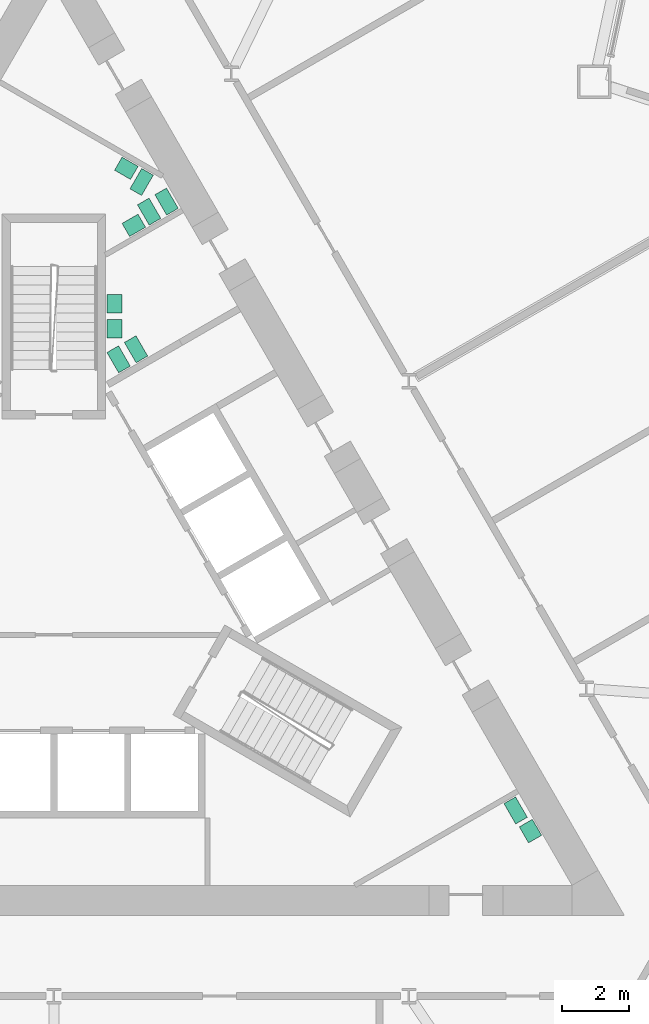
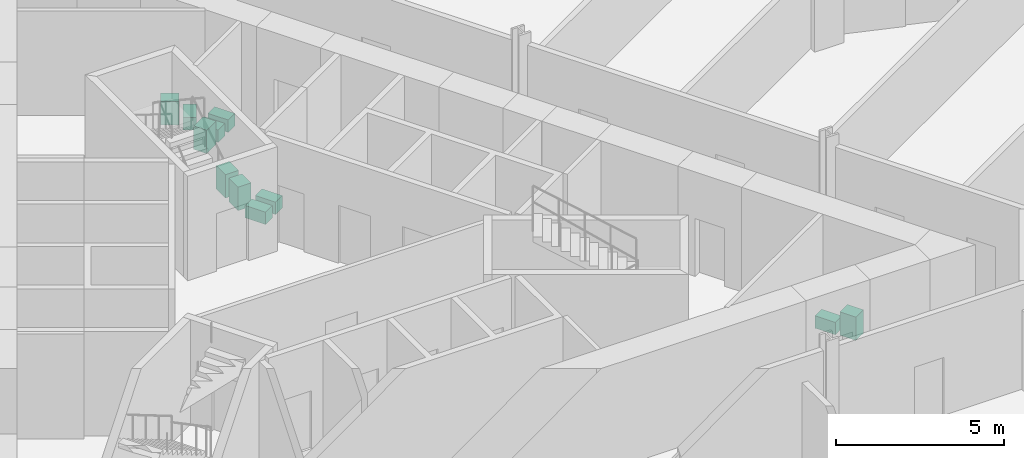
# One storey, part 20 of 21: 11 sanitary terminals.
"""IFC4 building model written with IfcOpenShell, lengths in metres."""

import ifcopenshell
import ifcopenshell.guid

model = None  # the IFC model being written
_history = None  # IfcOwnerHistory: only IFC2X3 demands one
_inside = {}  # id of a spatial element -> (the spatial element, [elements in it])
_under = {}  # id of a project, library or spatial element -> (it, [spatial elements below it])
_declared = {}  # id of a project -> (the project, [libraries it declares])
_typed = {}  # id of a type object -> (the type object, [elements of that type])
_made_of = {}  # id of a material, layer set ... -> (it, [elements and type objects made of it])


def new_model(schema):
    """Start an empty IFC model of exactly this schema.

    Asked for "IFC4X3", IfcOpenShell would pick the latest addendum, in which some entities
    have other attributes; the version numbers below select the first issue.
    IFC2X3 requires an IfcOwnerHistory on every rooted entity: one is made here for all.
    """
    global model, _history
    if schema == "IFC4X3":
        model = ifcopenshell.file(schema_version=(4, 3, 0, 0))
    else:
        model = ifcopenshell.file(schema=schema)
    _inside.clear()
    _under.clear()
    _declared.clear()
    _typed.clear()
    _made_of.clear()
    _history = None
    if model.schema == "IFC2X3":
        org = make("IfcOrganization", Name="unknown")
        user = make(
            "IfcPersonAndOrganization",
            ThePerson=make("IfcPerson", FamilyName="unknown"),
            TheOrganization=org,
        )
        app = make(
            "IfcApplication",
            ApplicationDeveloper=org,
            Version="unknown",
            ApplicationFullName="unknown",
            ApplicationIdentifier="unknown",
        )
        _history = make(
            "IfcOwnerHistory",
            OwningUser=user,
            OwningApplication=app,
            ChangeAction="ADDED",
            CreationDate=0,
        )
    return model


def make(cls, **values):
    """One entity of the class cls with the attributes given. An attribute that is None is left unset."""
    return model.create_entity(
        cls, **{name: value for name, value in values.items() if value is not None}
    )


def rooted(cls, **values):
    """An entity with a GlobalId (a new one), such as an element, a storey or a relation."""
    return make(cls, GlobalId=ifcopenshell.guid.new(), OwnerHistory=_history, **values)


def si_unit(unit_type, name, prefix=None):
    """IfcSIUnit, for example si_unit("LENGTHUNIT", "METRE", prefix="MILLI")."""
    return make("IfcSIUnit", UnitType=unit_type, Prefix=prefix, Name=name)


def assignment(units):
    """IfcUnitAssignment: the units of a project."""
    return None if units is None else make("IfcUnitAssignment", Units=units)


def point(xyz):
    """IfcCartesianPoint."""
    return None if xyz is None else make("IfcCartesianPoint", Coordinates=xyz)


def direction(xyz):
    """IfcDirection."""
    return None if xyz is None else make("IfcDirection", DirectionRatios=xyz)


def frame(location, z_axis=None, x_axis=None):
    """IfcAxis2Placement3D, a coordinate frame: its origin and axes. An axis left out is left unset."""
    return make(
        "IfcAxis2Placement3D",
        Location=point(location),
        Axis=direction(z_axis),
        RefDirection=direction(x_axis),
    )


def frame_2d(location, x_axis=None):
    """IfcAxis2Placement2D, a coordinate frame in the plane: its origin and x axis."""
    return make(
        "IfcAxis2Placement2D", Location=point(location), RefDirection=direction(x_axis)
    )


def origin():
    """The frame at (0, 0, 0) with its axes left unset."""
    return frame((0.0, 0.0, 0.0))


def origin_2d():
    """The frame at (0, 0) in the plane with its x axis left unset."""
    return frame_2d((0.0, 0.0))


def place(relative_to, where):
    """IfcLocalPlacement: puts the frame where relative to a parent placement (None: the world)."""
    return make(
        "IfcLocalPlacement", PlacementRelTo=relative_to, RelativePlacement=where
    )


def context(
    kind, dimensions, precision=None, world=None, true_north=None, identifier=None
):
    """IfcGeometricRepresentationContext, for example the 3D "Model" context."""
    return make(
        "IfcGeometricRepresentationContext",
        ContextIdentifier=identifier,
        ContextType=kind,
        CoordinateSpaceDimension=dimensions,
        Precision=precision,
        WorldCoordinateSystem=world,
        TrueNorth=true_north,
    )


def subcontext(parent, identifier, kind, view, scale=None):
    """IfcGeometricRepresentationSubContext, for example "Body" below "Model"."""
    return make(
        "IfcGeometricRepresentationSubContext",
        ContextIdentifier=identifier,
        ContextType=kind,
        ParentContext=parent,
        TargetScale=scale,
        TargetView=view,
    )


def project(units=None, contexts=None):
    """IfcProject with its units and contexts."""
    return rooted(
        "IfcProject",
        Name="project",
        RepresentationContexts=contexts,
        UnitsInContext=assignment(units),
    )


def spatial(cls, under=None, at=None, **own):
    """A site, building, storey or space (cls), placed at a placement, below another one or the project."""
    s = rooted(cls, ObjectPlacement=at, **own)
    if under is not None:
        _under.setdefault(under.id(), (under, []))[1].append(s)
    return s


def profile(cls, at=None, kind="AREA", **sizes):
    """A parametric profile (cls). Its sizes go by their IFC names, for example OverallWidth=200.0."""
    return make(cls, ProfileType=kind, Position=at, **sizes)


def rectangle(**sizes):
    """IfcRectangleProfileDef."""
    return profile("IfcRectangleProfileDef", **sizes)


def extrude(swept, where, along, depth):
    """IfcExtrudedAreaSolid: the profile swept, set in the frame where, extruded along a direction by depth."""
    return make(
        "IfcExtrudedAreaSolid",
        SweptArea=swept,
        Position=where,
        ExtrudedDirection=direction(along),
        Depth=depth,
    )


def shape(context_of_items, identifier, shape_type, items):
    """IfcShapeRepresentation: the items that make up one representation, for example the "Body"."""
    return make(
        "IfcShapeRepresentation",
        ContextOfItems=context_of_items,
        RepresentationIdentifier=identifier,
        RepresentationType=shape_type,
        Items=items,
    )


def material(Name=None, Category=None):
    """IfcMaterial."""
    return make("IfcMaterial", Name=Name, Category=Category)


def made_of(thing, what):
    """Note that an element or type object is made of a material, layer set ...; save() writes the relation."""
    if what is not None:
        _made_of.setdefault(what.id(), (what, []))[1].append(thing)
    return thing


def type_object(cls, material=None, **own):
    """A type object (cls), such as IfcWallType, which elements share."""
    return made_of(rooted(cls, **own), material)


def element(
    cls,
    number,
    at=None,
    inside=None,
    cuts=None,
    type_object=None,
    material=None,
    context=None,
    identifier="Body",
    shape_type=None,
    held_by="IfcProductDefinitionShape",
    body=None,
    shapes=None,
    **own,
):
    """One element of the class cls, such as IfcWall. Its Tag is "e" and its number.

    at: its placement. inside: the storey or other place that contains it. cuts: it is an
    opening in that element (IfcRelVoidsElement). A single representation is given by context,
    identifier, shape_type and body (its items); several are given by shapes. held_by: the class
    of the entity that holds the representations. save() writes the other relations.
    """
    e = rooted(cls, Tag="e%d" % number, ObjectPlacement=at, **own)
    if body is not None:
        shapes = [shape(context, identifier, shape_type, body)]
    if shapes is not None:
        e.Representation = make(held_by, Representations=shapes)
    if inside is not None:
        _inside.setdefault(inside.id(), (inside, []))[1].append(e)
    if cuts is not None:
        rooted(
            "IfcRelVoidsElement", RelatingBuildingElement=cuts, RelatedOpeningElement=e
        )
    if type_object is not None:
        _typed.setdefault(type_object.id(), (type_object, []))[1].append(e)
    return made_of(e, material)


def aggregate(whole, parts):
    """IfcRelAggregates: a whole, such as a stair, and the parts it consists of."""
    return rooted("IfcRelAggregates", RelatingObject=whole, RelatedObjects=parts)


def save(model, path):
    """Write the relations noted so far, then the file.

    IfcRelAggregates (storeys below a building ...), IfcRelContainedInSpatialStructure (elements
    in a storey), IfcRelDefinesByType, IfcRelAssociatesMaterial and IfcRelDeclares: one each for
    every whole, place, type object, material and project.
    """
    for whole, parts in _under.values():
        aggregate(whole, parts)
    for where, things in _inside.values():
        rooted(
            "IfcRelContainedInSpatialStructure",
            RelatedElements=things,
            RelatingStructure=where,
        )
    for kind, things in _typed.values():
        rooted("IfcRelDefinesByType", RelatedObjects=things, RelatingType=kind)
    for what, things in _made_of.values():
        rooted("IfcRelAssociatesMaterial", RelatedObjects=things, RelatingMaterial=what)
    for by, libraries in _declared.values():
        rooted("IfcRelDeclares", RelatingContext=by, RelatedDefinitions=libraries)
    model.write(path)


model = new_model("IFC4")

# Units and contexts
model_context = context("Model", 3, precision=1e-05, world=origin(), true_north=direction((0.0, 1.0)))
body_context = subcontext(model_context, "Body", "Model", "MODEL_VIEW")
ifc_project = project(units=[si_unit("LENGTHUNIT", "METRE"), si_unit("AREAUNIT", "SQUARE_METRE"), si_unit("VOLUMEUNIT", "CUBIC_METRE"), si_unit("PLANEANGLEUNIT", "RADIAN"), si_unit("MASSUNIT", "GRAM", prefix="KILO")], contexts=[model_context])

# Site, building, storey
site_placement = place(None, origin())
site = spatial("IfcSite", under=ifc_project, at=site_placement, CompositionType="ELEMENT")
building_placement = place(site_placement, origin())
building = spatial("IfcBuilding", under=site, at=building_placement, Name="Cormorant Prow Tower", CompositionType="ELEMENT")
storey_placement = place(building_placement, frame((0.0, 0.0, 46.800048828125)))
storey = spatial("IfcBuildingStorey", under=building, at=storey_placement, Name="L09", CompositionType="ELEMENT", Elevation=46.800048828125)

# Sanitary terminals
ifc_material_1 = material(Name="Vitreous china")
sanitary_terminal_type_1 = type_object("IfcSanitaryTerminalType", Name="Wash basin 550x450", PredefinedType="WASHHANDBASIN", material=ifc_material_1)
for number, where, z_axis, x_axis, name in (
    (1, (2.380859375, 10.75341796875, 0.0), (0.0, 0.0, 1.0), (0.866025403784, 0.5, 0.0), "Wash basin"),
    (2, (2.157958984375, 12.453125, 0.0), (0.0, 0.0, 1.0), (-0.866025403784, 0.5, 0.0), "Wash basin"),
    (3, (1.80908203125, 7.66796875, 0.0), (0.0, 0.0, 1.0), (0.0, -1.0, 0.0), "Wash basin"),
    (4, (1.80908203125, 8.41796875, 0.0), (0.0, 0.0, 1.0), (0.0, -1.0, 0.0), "Wash basin"),
    (5, (14.2021484375, -7.298828125, 0.0), (0.0, 0.0, 1.0), (-0.5, 0.866025403784, 0.0), "Wash basin"),
):
    element("IfcSanitaryTerminal", number, at=place(storey_placement, frame(where, z_axis=z_axis, x_axis=x_axis)), inside=storey, type_object=sanitary_terminal_type_1, Name=name, PredefinedType="WASHHANDBASIN", context=body_context, shape_type="SweptSolid", body=[
        extrude(rectangle(XDim=0.550048828125, YDim=0.449951171875, at=origin_2d()), origin(), (0.0, 0.0, 1.0), 0.85009765625),
    ])
ifc_material_2 = material(Name="Vitreous china")
sanitary_terminal_type_2 = type_object("IfcSanitaryTerminalType", Name="Water closet 400x700", PredefinedType="WCSEAT", material=ifc_material_2)
for number, where, z_axis, x_axis, name in (
    (6, (3.357666015625, 11.461669921875, 0.0), (0.0, 0.0, 1.0), (0.866025403784, 0.5, 0.0), "Water closet"),
    (7, (2.837890625, 11.16162109375, 0.0), (0.0, 0.0, 1.0), (0.866025403784, 0.5, 0.0), "Water closet"),
    (8, (2.614990234375, 12.044921875, 0.0), (0.0, 0.0, 1.0), (-0.866025403784, 0.5, 0.0), "Water closet"),
    (9, (1.9287109375, 6.760009765625, 0.0), (0.0, 0.0, 1.0), (0.866025403784, 0.5, 0.0), "Water closet"),
    (10, (2.4482421875, 7.06005859375, 0.0), (0.0, 0.0, 1.0), (0.866025403784, 0.5, 0.0), "Water closet"),
    (11, (13.760498046875, -6.68408203125, 0.0), (0.0, 0.0, 1.0), (-0.866025403784, -0.5, 0.0), "Water closet"),
):
    element("IfcSanitaryTerminal", number, at=place(storey_placement, frame(where, z_axis=z_axis, x_axis=x_axis)), inside=storey, type_object=sanitary_terminal_type_2, Name=name, PredefinedType="WCSEAT", context=body_context, shape_type="SweptSolid", body=[
        extrude(rectangle(XDim=0.39990234375, YDim=0.699951171875, at=origin_2d()), origin(), (0.0, 0.0, 1.0), 0.449951171875),
    ])

save(model, "model.ifc")
